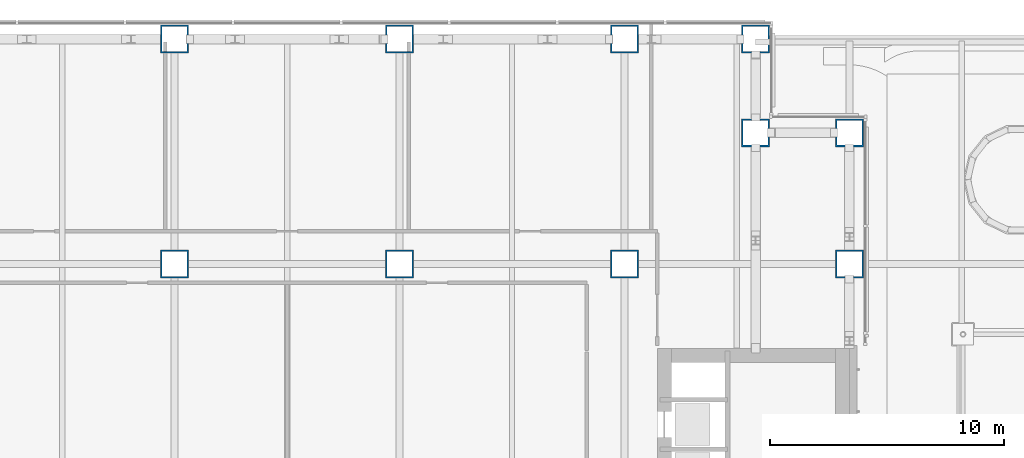
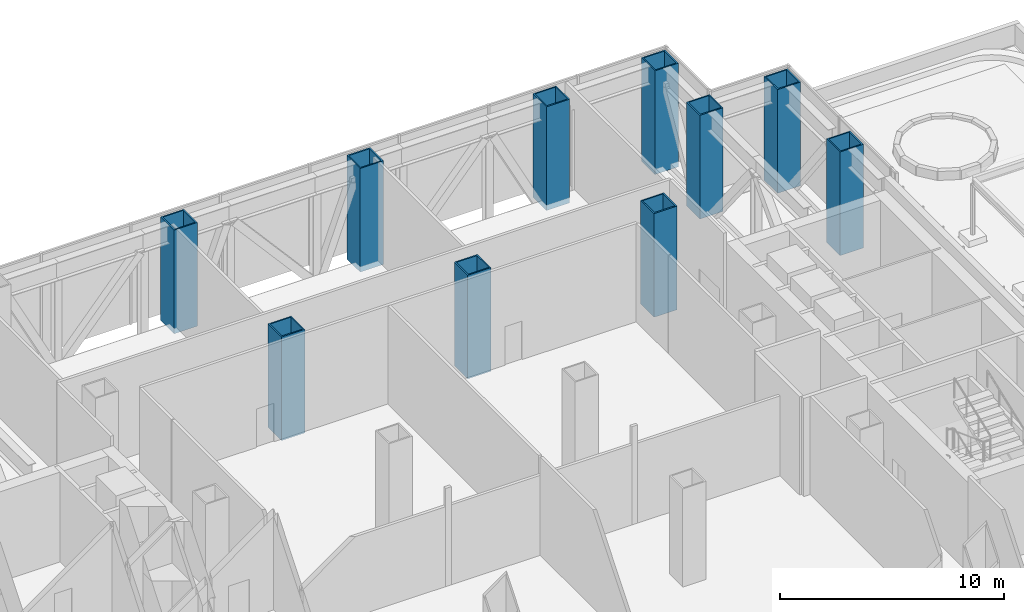
# One storey, part 5 of 39: 10 columns.
"""IFC4 building model written with IfcOpenShell, lengths in metres."""

from ifc_helpers import new_model, si_unit, direction, frame, origin, origin_2d, place, context, subcontext, project, spatial, hollow_rectangle, extrude, material, material_profile, profile_set, type_object, element, save


model = new_model("IFC4")

# Units and contexts
model_context = context("Model", 3, precision=1e-05, world=origin(), true_north=direction((0.0, 1.0)))
body_context = subcontext(model_context, "Body", "Model", "MODEL_VIEW")
ifc_project = project(units=[si_unit("LENGTHUNIT", "METRE"), si_unit("AREAUNIT", "SQUARE_METRE"), si_unit("VOLUMEUNIT", "CUBIC_METRE"), si_unit("PLANEANGLEUNIT", "RADIAN"), si_unit("MASSUNIT", "GRAM", prefix="KILO")], contexts=[model_context])

# Site, building, storey
site_placement = place(None, origin())
site = spatial("IfcSite", under=ifc_project, at=site_placement, CompositionType="ELEMENT")
building_placement = place(site_placement, origin())
building = spatial("IfcBuilding", under=site, at=building_placement, Name="Cobrizo Arcos Hotel Tower", CompositionType="ELEMENT")
storey_placement = place(building_placement, frame((0.0, 0.0, 33.5)))
storey = spatial("IfcBuildingStorey", under=building, at=storey_placement, Name="L06", CompositionType="ELEMENT", Elevation=33.5)

# Columns
ifc_material = material(Name="Steel ASTM A572 Grade 50", Category="steel")
ifc_material_profile_1 = material_profile(ifc_material, hollow_rectangle(XDim=1.199951171875, YDim=1.199951171875, WallThickness=0.070068359375, at=origin_2d()), Name="BOX 1200X1200X70")
ifc_profile_set_1 = profile_set([ifc_material_profile_1], Name="Steel ASTM A572 Grade 50")
column_type_1 = type_object("IfcColumnType", Name="BOX 1200X1200X70 column", PredefinedType="COLUMN", material=ifc_profile_set_1)
for number, where, z_axis, x_axis, name in (
    (1, (-4.800048828125, 24.0, -0.300048828125), (0.0, 0.0, 1.0), (1.0, 0.0, 0.0), "Perimeter column C1, L06, no. 11"),
    (2, (4.800048828125, 24.0, -0.300048828125), (0.0, 0.0, 1.0), (1.0, 0.0, 0.0), "Perimeter column C1, L06, no. 13"),
    (3, (14.39990234375, 24.0, -0.300048828125), (0.0, 0.0, 1.0), (1.0, 0.0, 0.0), "Perimeter column C1, L06, no. 15"),
    (4, (20.0, 20.0, -0.300048828125), (0.0, 0.0, 1.0), (1.0, 0.0, 0.0), "Perimeter column C1, L06, no. 18"),
    (5, (20.0, 24.0, -0.300048828125), (0.0, 0.0, 1.0), (1.0, 0.0, 0.0), "Perimeter column C1, L06, no. 19"),
    (6, (24.0, 14.39990234375, -0.300048828125), (0.0, 0.0, 1.0), (1.0, 0.0, 0.0), "Perimeter column C1, L06, no. 22"),
    (7, (24.0, 20.0, -0.300048828125), (0.0, 0.0, 1.0), (1.0, 0.0, 0.0), "Perimeter column C1, L06, no. 23"),
):
    element("IfcColumn", number, at=place(storey_placement, frame(where, z_axis=z_axis, x_axis=x_axis)), inside=storey, type_object=column_type_1, Name=name, PredefinedType="COLUMN", context=body_context, shape_type="SweptSolid", body=[
        extrude(hollow_rectangle(XDim=1.199951171875, YDim=1.199951171875, WallThickness=0.070068359375, at=origin_2d()), origin(), (0.0, 0.0, 1.0), 5.650146484375),
    ])
ifc_material_profile_2 = material_profile(ifc_material, hollow_rectangle(XDim=1.199951171875, YDim=1.199951171875, WallThickness=0.070068359375, at=origin_2d()), Name="BOX 1200X1200X70")
ifc_profile_set_2 = profile_set([ifc_material_profile_2], Name="Steel ASTM A572 Grade 50")
column_type_2 = type_object("IfcColumnType", Name="BOX 1200X1200X70 interior column", PredefinedType="COLUMN", material=ifc_profile_set_2)
for number, where, z_axis, x_axis, name in (
    (8, (-4.800048828125, 14.39990234375, -0.300048828125), (0.0, 0.0, 1.0), (1.0, 0.0, 0.0), "Interior column C2, L06, no. 07"),
    (9, (4.800048828125, 14.39990234375, -0.300048828125), (0.0, 0.0, 1.0), (1.0, 0.0, 0.0), "Interior column C2, L06, no. 11"),
    (10, (14.39990234375, 14.39990234375, -0.300048828125), (0.0, 0.0, 1.0), (1.0, 0.0, 0.0), "Interior column C2, L06, no. 15"),
):
    element("IfcColumn", number, at=place(storey_placement, frame(where, z_axis=z_axis, x_axis=x_axis)), inside=storey, type_object=column_type_2, Name=name, PredefinedType="COLUMN", context=body_context, shape_type="SweptSolid", body=[
        extrude(hollow_rectangle(XDim=1.199951171875, YDim=1.199951171875, WallThickness=0.070068359375, at=origin_2d()), origin(), (0.0, 0.0, 1.0), 5.650146484375),
    ])

save(model, "model.ifc")
